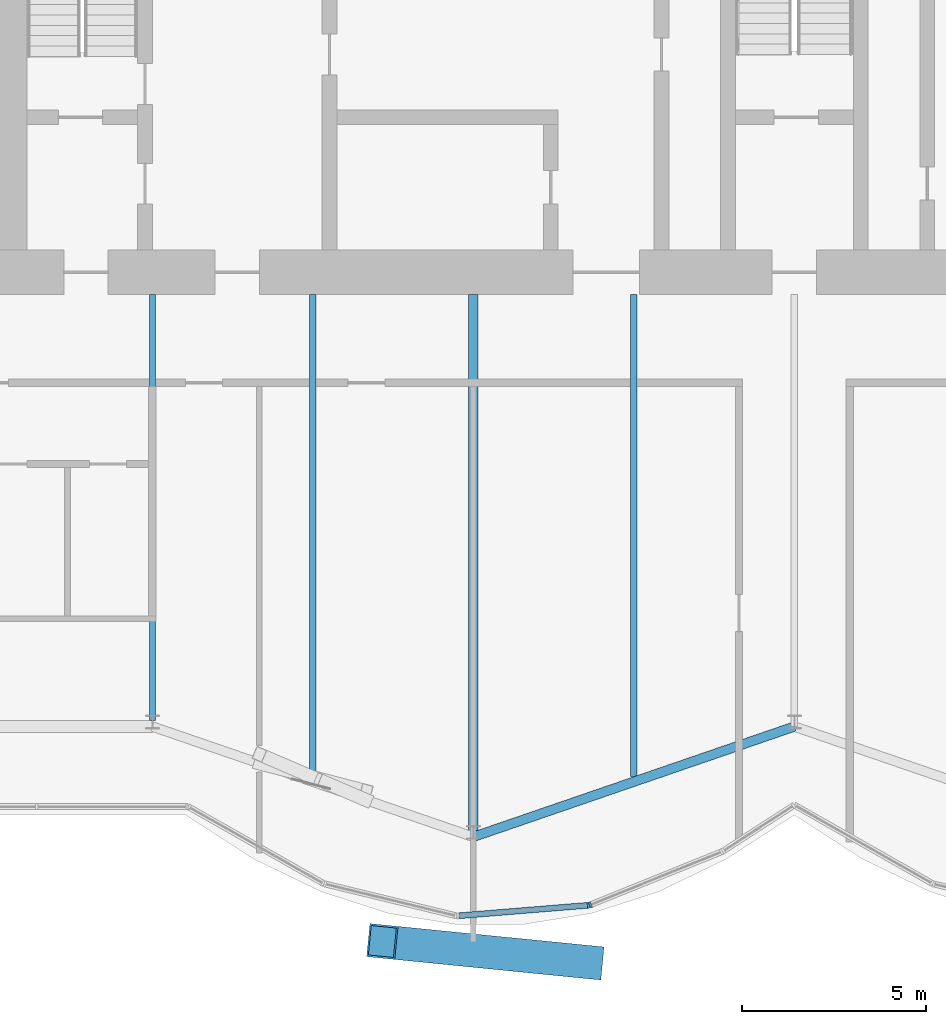
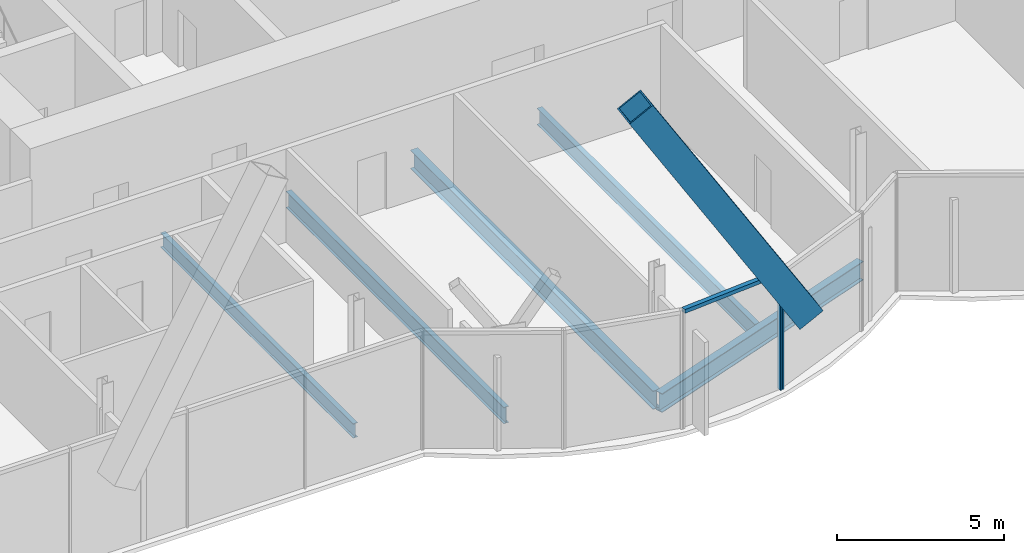
# One storey, part 6 of 19: 5 beams, 4 members, 1 element without a shape of its own.
"""IFC4 building model written with IfcOpenShell, lengths in metres."""

from ifc_helpers import new_model, si_unit, direction, frame, origin, origin_2d, place, context, subcontext, project, spatial, rectangle, hollow_rectangle, i_section, extrude, material, material_profile, profile_set, type_object, element, aggregate, save


model = new_model("IFC4")

# Units and contexts
model_context = context("Model", 3, precision=1e-05, world=origin(), true_north=direction((0.0, 1.0)))
body_context = subcontext(model_context, "Body", "Model", "MODEL_VIEW")
ifc_project = project(units=[si_unit("LENGTHUNIT", "METRE"), si_unit("AREAUNIT", "SQUARE_METRE"), si_unit("VOLUMEUNIT", "CUBIC_METRE"), si_unit("PLANEANGLEUNIT", "RADIAN"), si_unit("MASSUNIT", "GRAM", prefix="KILO")], contexts=[model_context])

# Site, building, storey
site_placement = place(None, origin())
site = spatial("IfcSite", under=ifc_project, at=site_placement, CompositionType="ELEMENT")
building_placement = place(site_placement, origin())
building = spatial("IfcBuilding", under=site, at=building_placement, Name="Bicima Exchange Tower", CompositionType="ELEMENT")
storey_placement = place(building_placement, frame((0.0, 0.0, 297.5)))
storey = spatial("IfcBuildingStorey", under=building, at=storey_placement, Name="L67", CompositionType="ELEMENT", Elevation=297.5)

# Member
ifc_material_1 = material(Name="Steel ASTM A572 Gr 50", Category="steel")
ifc_material_profile_1 = material_profile(ifc_material_1, hollow_rectangle(XDim=0.89990234375, YDim=0.89990234375, WallThickness=0.050048828125, at=origin_2d()))
ifc_profile_set_1 = profile_set([ifc_material_profile_1], Name="Steel ASTM A572 Gr 50")
member_type_1 = type_object("IfcMemberType", Name="Exo mega brace BOX 900x900x50", PredefinedType="BRACE", material=ifc_profile_set_1)
member_1_placement = place(storey_placement, frame((-5.583251953125, -31.099609375, 3.74169921875), z_axis=(-0.520539911321, 0.051940187041, 0.852256075186), x_axis=(-0.099288323896, -0.995058706177, 0.0)))
element("IfcMember", 1, at=member_1_placement, inside=storey, type_object=member_type_1, Name="Exo mega brace front", PredefinedType="BRACE", context=body_context, shape_type="SweptSolid", body=[
    extrude(hollow_rectangle(XDim=0.89990234375, YDim=0.89990234375, WallThickness=0.050048828125, at=origin_2d()), origin(), (0.0, 0.0, 1.0), 10.726318359375),
])

# Beams
ifc_material_2 = material(Name="Steel ASTM A992 Gr 50", Category="steel")
ifc_material_profile_2 = material_profile(ifc_material_2, i_section(OverallWidth=0.165771484375, OverallDepth=0.5283203125, WebThickness=0.009765625, FlangeThickness=0.013671875, at=origin_2d()))
ifc_profile_set_2 = profile_set([ifc_material_profile_2], Name="Steel ASTM A992 Gr 50")
beam_type_1 = type_object("IfcBeamType", Name="Floor beam W21x50", PredefinedType="JOIST", material=ifc_profile_set_2)
beam_1_placement = place(storey_placement, frame((-17.39990234375, -13.0, -0.414306640625), z_axis=(0.0, -1.0, 0.0), x_axis=(1.0, 0.0, 0.0)))
element("IfcBeam", 2, at=beam_1_placement, inside=storey, type_object=beam_type_1, Name="Floor beam", PredefinedType="JOIST", context=body_context, shape_type="SweptSolid", body=[
    extrude(i_section(OverallWidth=0.165771484375, OverallDepth=0.5283203125, WebThickness=0.009765625, FlangeThickness=0.013671875, at=origin_2d()), origin(), (0.0, 0.0, 1.0), 11.553466796875),
])
ifc_material_profile_3 = material_profile(ifc_material_2, i_section(OverallWidth=0.177978515625, OverallDepth=0.599365234375, WebThickness=0.010009765625, FlangeThickness=0.012939453125, at=origin_2d()))
ifc_profile_set_3 = profile_set([ifc_material_profile_3], Name="Steel ASTM A992 Gr 50")
beam_type_2 = type_object("IfcBeamType", Name="Floor beam W24x55", PredefinedType="JOIST", material=ifc_profile_set_3)
for number, where, z_axis, x_axis, name in (
    (3, (-13.050048828125, -13.0, -0.44970703125), (0.0, -1.0, 0.0), (1.0, 0.0, 0.0), "Floor beam"),
    (4, (-4.35009765625, -13.0, -0.44970703125), (0.0, -1.0, 0.0), (1.0, 0.0, 0.0), "Floor beam"),
):
    element("IfcBeam", number, at=place(storey_placement, frame(where, z_axis=z_axis, x_axis=x_axis)), inside=storey, type_object=beam_type_2, Name=name, PredefinedType="JOIST", context=body_context, shape_type="SweptSolid", body=[
        extrude(i_section(OverallWidth=0.177978515625, OverallDepth=0.599365234375, WebThickness=0.010009765625, FlangeThickness=0.012939453125, at=origin_2d()), origin(), (0.0, 0.0, 1.0), 13.075927734375),
    ])
ifc_material_profile_4 = material_profile(ifc_material_2, i_section(OverallWidth=0.25390625, OverallDepth=0.67822265625, WebThickness=0.01171875, FlangeThickness=0.016357421875, at=origin_2d()))
ifc_profile_set_4 = profile_set([ifc_material_profile_4], Name="Steel ASTM A992 Gr 50")
beam_type_3 = type_object("IfcBeamType", Name="Floor beam W27x84", PredefinedType="JOIST", material=ifc_profile_set_4)
beam_2_placement = place(storey_placement, frame((-8.699951171875, -13.0, -0.489013671875), z_axis=(0.0, -1.0, 0.0), x_axis=(1.0, 0.0, 0.0)))
element("IfcBeam", 5, at=beam_2_placement, inside=storey, type_object=beam_type_3, Name="Floor beam", PredefinedType="JOIST", context=body_context, shape_type="SweptSolid", body=[
    extrude(i_section(OverallWidth=0.25390625, OverallDepth=0.67822265625, WebThickness=0.01171875, FlangeThickness=0.016357421875, at=origin_2d()), origin(), (0.0, 0.0, 1.0), 14.5712890625),
])
ifc_material_profile_5 = material_profile(ifc_material_2, i_section(OverallWidth=0.256591796875, OverallDepth=0.693359375, WebThickness=0.014404296875, FlangeThickness=0.023681640625, at=origin_2d()))
ifc_profile_set_5 = profile_set([ifc_material_profile_5], Name="Steel ASTM A992 Gr 50")
beam_type_4 = type_object("IfcBeamType", Name="Front girder W27x114", PredefinedType="BEAM", material=ifc_profile_set_5)
beam_3_placement = place(storey_placement, frame((-8.699951171875, -27.70703125, -0.49658203125), z_axis=(0.945674616091, 0.32511462668, 0.0), x_axis=(-0.32511462668, 0.945674616091, 0.0)))
element("IfcBeam", 6, at=beam_3_placement, inside=storey, type_object=beam_type_4, Name="Front girder", PredefinedType="BEAM", context=body_context, shape_type="SweptSolid", body=[
    extrude(i_section(OverallWidth=0.256591796875, OverallDepth=0.693359375, WebThickness=0.014404296875, FlangeThickness=0.023681640625, at=origin_2d()), origin(), (0.0, 0.0, 1.0), 9.19970703125),
])

# Curtain wall, members
ifc_material_3 = material(Name="Anodised bronze aluminium", Category="aluminium")
curtain_wall_type = type_object("IfcCurtainWallType", Name="Front glass wall", PredefinedType="NOTDEFINED", material=ifc_material_3)
curtain_wall_placement = place(storey_placement, origin())
curtain_wall = element("IfcCurtainWall", 7, at=curtain_wall_placement, inside=storey, type_object=curtain_wall_type, Name="Front glass wall L67 run 6", PredefinedType="NOTDEFINED")
ifc_material_profile_6 = material_profile(ifc_material_3, rectangle(XDim=0.159912109375, YDim=0.06005859375, at=origin_2d()))
ifc_profile_set_6 = profile_set([ifc_material_profile_6], Name="Anodised bronze aluminium")
member_type_2 = type_object("IfcMemberType", Name="Front glass wall mullion 60 x 160", PredefinedType="MULLION", material=ifc_profile_set_6)
member_2_placement = place(storey_placement, frame((-5.583984375, -29.560791015625, 0.0), z_axis=(0.0, 0.0, 1.0), x_axis=(-0.080588612633, 0.99674744821, 0.0)))
member_2 = element("IfcMember", 8, at=member_2_placement, type_object=member_type_2, Name="Front glass wall mullion 2", PredefinedType="MULLION", context=body_context, shape_type="SweptSolid", body=[
    extrude(rectangle(XDim=0.159912109375, YDim=0.06005859375, at=origin_2d()), origin(), (0.0, 0.0, 1.0), 4.35009765625),
])
member_3_placement = place(storey_placement, frame((-5.526123046875, -29.547119140625, 0.0), z_axis=(0.0, 0.0, 1.0), x_axis=(-0.374705304, 0.92714396679, 0.0)))
member_3 = element("IfcMember", 9, at=member_3_placement, type_object=member_type_2, Name="Front glass wall mullion 1", PredefinedType="MULLION", context=body_context, shape_type="SweptSolid", body=[
    extrude(rectangle(XDim=0.159912109375, YDim=0.06005859375, at=origin_2d()), origin(), (0.0, 0.0, 1.0), 4.35009765625),
])
ifc_material_profile_7 = material_profile(ifc_material_3, rectangle(XDim=0.159912109375, YDim=0.139892578125, at=origin_2d()))
ifc_profile_set_7 = profile_set([ifc_material_profile_7], Name="Anodised bronze aluminium")
member_type_3 = type_object("IfcMemberType", Name="Front glass wall transom 140 x 160", PredefinedType="USERDEFINED", material=ifc_profile_set_7)
member_4_placement = place(storey_placement, frame((-9.08837890625, -29.84423828125, 4.280029296875), z_axis=(0.9967456465, 0.080610893699, 0.0), x_axis=(-0.080610893699, 0.9967456465, 0.0)))
member_4 = element("IfcMember", 10, at=member_4_placement, type_object=member_type_3, Name="Front glass wall transom 1.1", ObjectType="TRANSOM", PredefinedType="USERDEFINED", context=body_context, shape_type="SweptSolid", body=[
    extrude(rectangle(XDim=0.159912109375, YDim=0.139892578125, at=origin_2d()), origin(), (0.0, 0.0, 1.0), 3.48583984375),
])
aggregate(curtain_wall, [member_2, member_4, member_3])

save(model, "model.ifc")
